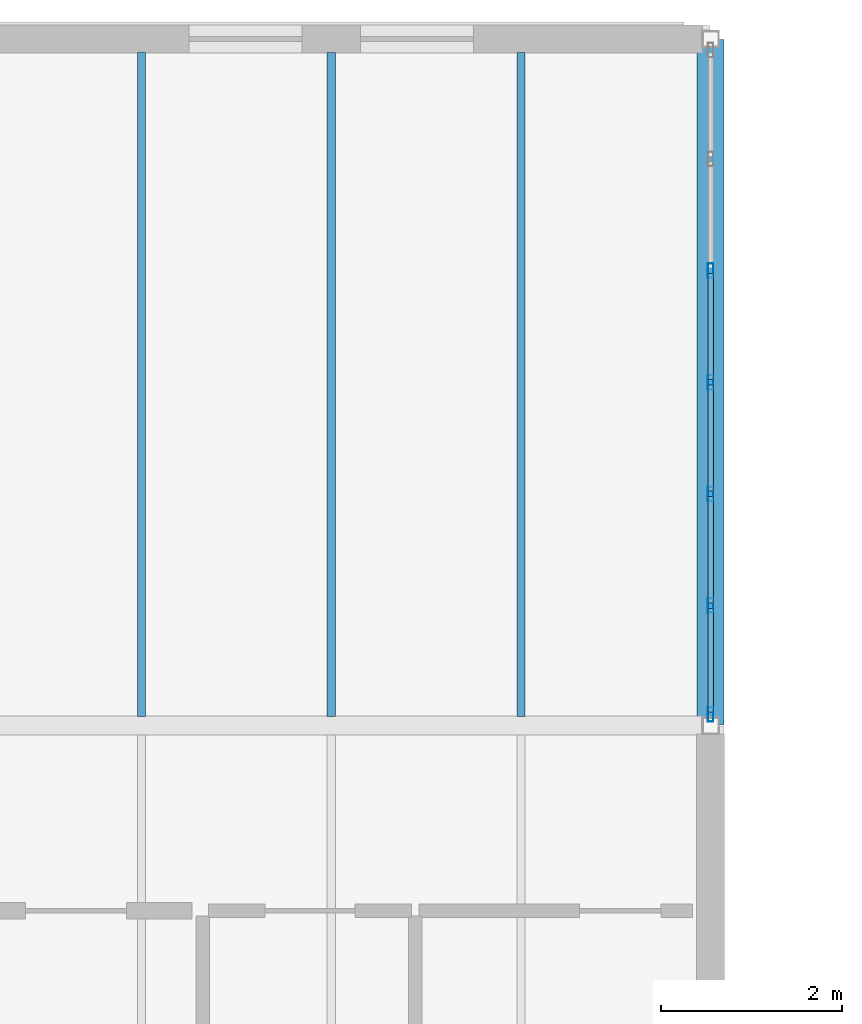
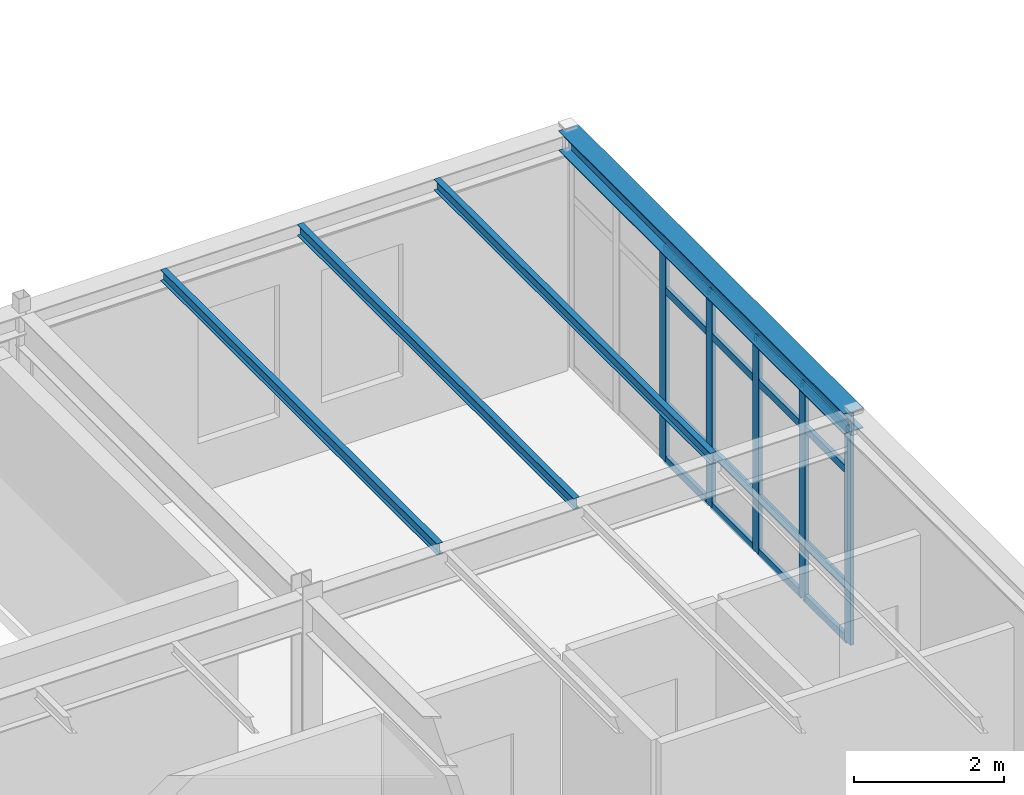
# One storey, part 26 of 65: 21 members, 4 beams, 1 element without a shape of its own.
"""IFC4 building model written with IfcOpenShell, lengths in metres."""

from ifc_helpers import new_model, si_unit, direction, frame, origin, origin_2d, place, context, subcontext, project, spatial, hollow_rectangle, i_section, extrude, material, layer, layer_set, material_profile, profile_set, type_object, element, aggregate, save


model = new_model("IFC4")

# Units and contexts
model_context = context("Model", 3, precision=1e-05, world=origin(), true_north=direction((0.0, 1.0)))
body_context = subcontext(model_context, "Body", "Model", "MODEL_VIEW")
ifc_project = project(units=[si_unit("LENGTHUNIT", "METRE"), si_unit("AREAUNIT", "SQUARE_METRE"), si_unit("VOLUMEUNIT", "CUBIC_METRE"), si_unit("PLANEANGLEUNIT", "RADIAN"), si_unit("MASSUNIT", "GRAM", prefix="KILO")], contexts=[model_context])

# Site, building, storey
site_placement = place(None, origin())
site = spatial("IfcSite", under=ifc_project, at=site_placement, CompositionType="ELEMENT")
building_placement = place(site_placement, origin())
building = spatial("IfcBuilding", under=site, at=building_placement, Name="Montecoro Central Library", CompositionType="ELEMENT")
storey_placement = place(building_placement, frame((0.0, 0.0, 17.340087890625)))
storey = spatial("IfcBuildingStorey", under=building, at=storey_placement, Name="L04", CompositionType="ELEMENT", Elevation=17.340087890625)

# Beams
ifc_material_1 = material(Name="Steel S355", Category="steel")
ifc_material_profile_1 = material_profile(ifc_material_1, i_section(OverallWidth=0.091064453125, OverallDepth=0.179931640625, WebThickness=0.00537109375, FlangeThickness=0.008056640625, at=origin_2d()), Name="IPE 180")
ifc_profile_set_1 = profile_set([ifc_material_profile_1], Name="Steel S355")
beam_type_1 = type_object("IfcBeamType", Name="BM-J-IPE180", PredefinedType="JOIST", material=ifc_profile_set_1)
for number, where, z_axis, x_axis, name in (
    (1, (110.5, 111.501953125, 3.73486328125), (0.0, 1.0, 0.0), (-1.0, 0.0, 0.0), "V2-L04-JS-1415-QR-1"),
    (2, (112.60009765625, 111.501953125, 3.73486328125), (0.0, 1.0, 0.0), (-1.0, 0.0, 0.0), "V2-L04-JS-1415-QR-2"),
    (3, (114.699951171875, 111.501953125, 3.73486328125), (0.0, 1.0, 0.0), (-1.0, 0.0, 0.0), "V2-L04-JS-1415-QR-3"),
):
    element("IfcBeam", number, at=place(storey_placement, frame(where, z_axis=z_axis, x_axis=x_axis)), inside=storey, type_object=beam_type_1, Name=name, PredefinedType="JOIST", context=body_context, shape_type="SweptSolid", body=[
        extrude(i_section(OverallWidth=0.091064453125, OverallDepth=0.179931640625, WebThickness=0.00537109375, FlangeThickness=0.008056640625, at=origin_2d()), origin(), (0.0, 0.0, 1.0), 7.35107421875),
    ])
ifc_material_profile_2 = material_profile(ifc_material_1, i_section(OverallWidth=0.300048828125, OverallDepth=0.330078125, WebThickness=0.009521484375, FlangeThickness=0.0166015625, at=origin_2d()), Name="HEA 340")
ifc_profile_set_2 = profile_set([ifc_material_profile_2], Name="Steel S355")
beam_type_2 = type_object("IfcBeamType", Name="BM-SP-HEA340", PredefinedType="SPANDREL", material=ifc_profile_set_2)
beam_placement = place(storey_placement, frame((116.800048828125, 111.405029296875, 3.659912109375), z_axis=(0.0, 1.0, 0.0), x_axis=(-1.0, 0.0, 0.0)))
element("IfcBeam", 4, at=beam_placement, inside=storey, type_object=beam_type_2, Name="V2-L04-BY-15-QR", PredefinedType="SPANDREL", context=body_context, shape_type="SweptSolid", body=[
    extrude(i_section(OverallWidth=0.300048828125, OverallDepth=0.330078125, WebThickness=0.009521484375, FlangeThickness=0.0166015625, at=origin_2d()), origin(), (0.0, 0.0, 1.0), 7.590087890625),
])

# Curtain wall, members
ifc_material_2 = material(Name="Bronze-anodised aluminium and low-E glazing", Category="aluminium")
ifc_layer = layer(ifc_material_2, 0.159912109375)
ifc_layer_set = layer_set([ifc_layer], Name="Bronze-anodised aluminium and low-E glazing")
curtain_wall_type = type_object("IfcCurtainWallType", Name="CWT-021", PredefinedType="NOTDEFINED", material=ifc_layer_set)
curtain_wall_placement = place(storey_placement, origin())
curtain_wall = element("IfcCurtainWall", 5, at=curtain_wall_placement, inside=storey, type_object=curtain_wall_type, Name="V2-L04-CW-E2", PredefinedType="NOTDEFINED")
ifc_material_3 = material(Name="Bronze-anodised aluminium", Category="aluminium")
ifc_material_profile_3 = material_profile(ifc_material_3, hollow_rectangle(XDim=0.06005859375, YDim=0.159912109375, WallThickness=0.00390625, at=origin_2d()), Name="CWM 160x60x4.0")
ifc_profile_set_3 = profile_set([ifc_material_profile_3], Name="Bronze-anodised aluminium")
member_type_1 = type_object("IfcMemberType", Name="CWM-BRZ-60", PredefinedType="MULLION", material=ifc_profile_set_3)
member_1_placement = place(storey_placement, frame((116.800048828125, 111.52294921875, 0.0), z_axis=(0.0, 0.0, 1.0), x_axis=(-1.0, 0.0, 0.0)))
member_1 = element("IfcMember", 6, at=member_1_placement, type_object=member_type_1, Name="CW-021 mullion 1", PredefinedType="MULLION", context=body_context, shape_type="SweptSolid", body=[
    extrude(hollow_rectangle(XDim=0.06005859375, YDim=0.159912109375, WallThickness=0.00390625, at=origin_2d()), origin(), (0.0, 0.0, 1.0), 3.47998046875),
])
member_2_placement = place(storey_placement, frame((116.800048828125, 112.728759765625, 0.0), z_axis=(0.0, 0.0, 1.0), x_axis=(-1.0, 0.0, 0.0)))
member_2 = element("IfcMember", 7, at=member_2_placement, type_object=member_type_1, Name="CW-021 mullion 2", PredefinedType="MULLION", context=body_context, shape_type="SweptSolid", body=[
    extrude(hollow_rectangle(XDim=0.06005859375, YDim=0.159912109375, WallThickness=0.00390625, at=origin_2d()), origin(), (0.0, 0.0, 1.0), 3.47998046875),
])
member_3_placement = place(storey_placement, frame((116.800048828125, 113.96435546875, 0.0), z_axis=(0.0, 0.0, 1.0), x_axis=(-1.0, 0.0, 0.0)))
member_3 = element("IfcMember", 8, at=member_3_placement, type_object=member_type_1, Name="CW-021 mullion 3", PredefinedType="MULLION", context=body_context, shape_type="SweptSolid", body=[
    extrude(hollow_rectangle(XDim=0.06005859375, YDim=0.159912109375, WallThickness=0.00390625, at=origin_2d()), origin(), (0.0, 0.0, 1.0), 3.47998046875),
])
member_4_placement = place(storey_placement, frame((116.800048828125, 115.199951171875, 0.0), z_axis=(0.0, 0.0, 1.0), x_axis=(-1.0, 0.0, 0.0)))
member_4 = element("IfcMember", 9, at=member_4_placement, type_object=member_type_1, Name="CW-021 mullion 4", PredefinedType="MULLION", context=body_context, shape_type="SweptSolid", body=[
    extrude(hollow_rectangle(XDim=0.06005859375, YDim=0.159912109375, WallThickness=0.00390625, at=origin_2d()), origin(), (0.0, 0.0, 1.0), 3.47998046875),
])
member_5_placement = place(storey_placement, frame((116.800048828125, 116.435546875, 0.0), z_axis=(0.0, 0.0, 1.0), x_axis=(-1.0, 0.0, 0.0)))
member_5 = element("IfcMember", 10, at=member_5_placement, type_object=member_type_1, Name="CW-021 mullion 5", PredefinedType="MULLION", context=body_context, shape_type="SweptSolid", body=[
    extrude(hollow_rectangle(XDim=0.06005859375, YDim=0.159912109375, WallThickness=0.00390625, at=origin_2d()), origin(), (0.0, 0.0, 1.0), 3.47998046875),
])
ifc_material_profile_4 = material_profile(ifc_material_3, hollow_rectangle(XDim=0.06005859375, YDim=0.1201171875, WallThickness=0.00390625, at=origin_2d()), Name="CWT 120x60x4.0")
ifc_profile_set_4 = profile_set([ifc_material_profile_4], Name="Bronze-anodised aluminium")
member_type_2 = type_object("IfcMemberType", Name="CWT-BRZ-60", PredefinedType="USERDEFINED", material=ifc_profile_set_4)
member_6_placement = place(storey_placement, frame((116.800048828125, 111.552978515625, 0.030029296875), z_axis=(0.0, 1.0, 0.0), x_axis=(-1.0, 0.0, 0.0)))
member_6 = element("IfcMember", 11, at=member_6_placement, type_object=member_type_2, Name="CW-021 transom 1.1", ObjectType="TRANSOM", PredefinedType="USERDEFINED", context=body_context, shape_type="SweptSolid", body=[
    extrude(hollow_rectangle(XDim=0.06005859375, YDim=0.1201171875, WallThickness=0.00390625, at=origin_2d()), origin(), (0.0, 0.0, 1.0), 1.145751953125),
])
member_7_placement = place(storey_placement, frame((116.800048828125, 111.552978515625, 0.89990234375), z_axis=(0.0, 1.0, 0.0), x_axis=(-1.0, 0.0, 0.0)))
member_7 = element("IfcMember", 12, at=member_7_placement, type_object=member_type_2, Name="CW-021 transom 1.2", ObjectType="TRANSOM", PredefinedType="USERDEFINED", context=body_context, shape_type="SweptSolid", body=[
    extrude(hollow_rectangle(XDim=0.06005859375, YDim=0.1201171875, WallThickness=0.00390625, at=origin_2d()), origin(), (0.0, 0.0, 1.0), 1.145751953125),
])
member_8_placement = place(storey_placement, frame((116.800048828125, 111.552978515625, 2.780029296875), z_axis=(0.0, 1.0, 0.0), x_axis=(-1.0, 0.0, 0.0)))
member_8 = element("IfcMember", 13, at=member_8_placement, type_object=member_type_2, Name="CW-021 transom 1.3", ObjectType="TRANSOM", PredefinedType="USERDEFINED", context=body_context, shape_type="SweptSolid", body=[
    extrude(hollow_rectangle(XDim=0.06005859375, YDim=0.1201171875, WallThickness=0.00390625, at=origin_2d()), origin(), (0.0, 0.0, 1.0), 1.145751953125),
])
member_9_placement = place(storey_placement, frame((116.800048828125, 111.552978515625, 3.449951171875), z_axis=(0.0, 1.0, 0.0), x_axis=(-1.0, 0.0, 0.0)))
member_9 = element("IfcMember", 14, at=member_9_placement, type_object=member_type_2, Name="CW-021 transom 1.4", ObjectType="TRANSOM", PredefinedType="USERDEFINED", context=body_context, shape_type="SweptSolid", body=[
    extrude(hollow_rectangle(XDim=0.06005859375, YDim=0.1201171875, WallThickness=0.00390625, at=origin_2d()), origin(), (0.0, 0.0, 1.0), 1.145751953125),
])
member_10_placement = place(storey_placement, frame((116.800048828125, 112.758544921875, 0.030029296875), z_axis=(0.0, 1.0, 0.0), x_axis=(-1.0, 0.0, 0.0)))
member_10 = element("IfcMember", 15, at=member_10_placement, type_object=member_type_2, Name="CW-021 transom 2.1", ObjectType="TRANSOM", PredefinedType="USERDEFINED", context=body_context, shape_type="SweptSolid", body=[
    extrude(hollow_rectangle(XDim=0.06005859375, YDim=0.1201171875, WallThickness=0.00390625, at=origin_2d()), origin(), (0.0, 0.0, 1.0), 1.17578125),
])
member_11_placement = place(storey_placement, frame((116.800048828125, 112.758544921875, 0.89990234375), z_axis=(0.0, 1.0, 0.0), x_axis=(-1.0, 0.0, 0.0)))
member_11 = element("IfcMember", 16, at=member_11_placement, type_object=member_type_2, Name="CW-021 transom 2.2", ObjectType="TRANSOM", PredefinedType="USERDEFINED", context=body_context, shape_type="SweptSolid", body=[
    extrude(hollow_rectangle(XDim=0.06005859375, YDim=0.1201171875, WallThickness=0.00390625, at=origin_2d()), origin(), (0.0, 0.0, 1.0), 1.17578125),
])
member_12_placement = place(storey_placement, frame((116.800048828125, 112.758544921875, 2.780029296875), z_axis=(0.0, 1.0, 0.0), x_axis=(-1.0, 0.0, 0.0)))
member_12 = element("IfcMember", 17, at=member_12_placement, type_object=member_type_2, Name="CW-021 transom 2.3", ObjectType="TRANSOM", PredefinedType="USERDEFINED", context=body_context, shape_type="SweptSolid", body=[
    extrude(hollow_rectangle(XDim=0.06005859375, YDim=0.1201171875, WallThickness=0.00390625, at=origin_2d()), origin(), (0.0, 0.0, 1.0), 1.17578125),
])
member_13_placement = place(storey_placement, frame((116.800048828125, 112.758544921875, 3.449951171875), z_axis=(0.0, 1.0, 0.0), x_axis=(-1.0, 0.0, 0.0)))
member_13 = element("IfcMember", 18, at=member_13_placement, type_object=member_type_2, Name="CW-021 transom 2.4", ObjectType="TRANSOM", PredefinedType="USERDEFINED", context=body_context, shape_type="SweptSolid", body=[
    extrude(hollow_rectangle(XDim=0.06005859375, YDim=0.1201171875, WallThickness=0.00390625, at=origin_2d()), origin(), (0.0, 0.0, 1.0), 1.17578125),
])
member_14_placement = place(storey_placement, frame((116.800048828125, 113.994384765625, 0.030029296875), z_axis=(0.0, 1.0, 0.0), x_axis=(-1.0, 0.0, 0.0)))
member_14 = element("IfcMember", 19, at=member_14_placement, type_object=member_type_2, Name="CW-021 transom 3.1", ObjectType="TRANSOM", PredefinedType="USERDEFINED", context=body_context, shape_type="SweptSolid", body=[
    extrude(hollow_rectangle(XDim=0.06005859375, YDim=0.1201171875, WallThickness=0.00390625, at=origin_2d()), origin(), (0.0, 0.0, 1.0), 1.175537109375),
])
member_15_placement = place(storey_placement, frame((116.800048828125, 113.994384765625, 0.89990234375), z_axis=(0.0, 1.0, 0.0), x_axis=(-1.0, 0.0, 0.0)))
member_15 = element("IfcMember", 20, at=member_15_placement, type_object=member_type_2, Name="CW-021 transom 3.2", ObjectType="TRANSOM", PredefinedType="USERDEFINED", context=body_context, shape_type="SweptSolid", body=[
    extrude(hollow_rectangle(XDim=0.06005859375, YDim=0.1201171875, WallThickness=0.00390625, at=origin_2d()), origin(), (0.0, 0.0, 1.0), 1.175537109375),
])
member_16_placement = place(storey_placement, frame((116.800048828125, 113.994384765625, 2.780029296875), z_axis=(0.0, 1.0, 0.0), x_axis=(-1.0, 0.0, 0.0)))
member_16 = element("IfcMember", 21, at=member_16_placement, type_object=member_type_2, Name="CW-021 transom 3.3", ObjectType="TRANSOM", PredefinedType="USERDEFINED", context=body_context, shape_type="SweptSolid", body=[
    extrude(hollow_rectangle(XDim=0.06005859375, YDim=0.1201171875, WallThickness=0.00390625, at=origin_2d()), origin(), (0.0, 0.0, 1.0), 1.175537109375),
])
member_17_placement = place(storey_placement, frame((116.800048828125, 113.994384765625, 3.449951171875), z_axis=(0.0, 1.0, 0.0), x_axis=(-1.0, 0.0, 0.0)))
member_17 = element("IfcMember", 22, at=member_17_placement, type_object=member_type_2, Name="CW-021 transom 3.4", ObjectType="TRANSOM", PredefinedType="USERDEFINED", context=body_context, shape_type="SweptSolid", body=[
    extrude(hollow_rectangle(XDim=0.06005859375, YDim=0.1201171875, WallThickness=0.00390625, at=origin_2d()), origin(), (0.0, 0.0, 1.0), 1.175537109375),
])
member_18_placement = place(storey_placement, frame((116.800048828125, 115.22998046875, 0.030029296875), z_axis=(0.0, 1.0, 0.0), x_axis=(-1.0, 0.0, 0.0)))
member_18 = element("IfcMember", 23, at=member_18_placement, type_object=member_type_2, Name="CW-021 transom 4.1", ObjectType="TRANSOM", PredefinedType="USERDEFINED", context=body_context, shape_type="SweptSolid", body=[
    extrude(hollow_rectangle(XDim=0.06005859375, YDim=0.1201171875, WallThickness=0.00390625, at=origin_2d()), origin(), (0.0, 0.0, 1.0), 1.17578125),
])
member_19_placement = place(storey_placement, frame((116.800048828125, 115.22998046875, 0.89990234375), z_axis=(0.0, 1.0, 0.0), x_axis=(-1.0, 0.0, 0.0)))
member_19 = element("IfcMember", 24, at=member_19_placement, type_object=member_type_2, Name="CW-021 transom 4.2", ObjectType="TRANSOM", PredefinedType="USERDEFINED", context=body_context, shape_type="SweptSolid", body=[
    extrude(hollow_rectangle(XDim=0.06005859375, YDim=0.1201171875, WallThickness=0.00390625, at=origin_2d()), origin(), (0.0, 0.0, 1.0), 1.17578125),
])
member_20_placement = place(storey_placement, frame((116.800048828125, 115.22998046875, 2.780029296875), z_axis=(0.0, 1.0, 0.0), x_axis=(-1.0, 0.0, 0.0)))
member_20 = element("IfcMember", 25, at=member_20_placement, type_object=member_type_2, Name="CW-021 transom 4.3", ObjectType="TRANSOM", PredefinedType="USERDEFINED", context=body_context, shape_type="SweptSolid", body=[
    extrude(hollow_rectangle(XDim=0.06005859375, YDim=0.1201171875, WallThickness=0.00390625, at=origin_2d()), origin(), (0.0, 0.0, 1.0), 1.17578125),
])
member_21_placement = place(storey_placement, frame((116.800048828125, 115.22998046875, 3.449951171875), z_axis=(0.0, 1.0, 0.0), x_axis=(-1.0, 0.0, 0.0)))
member_21 = element("IfcMember", 26, at=member_21_placement, type_object=member_type_2, Name="CW-021 transom 4.4", ObjectType="TRANSOM", PredefinedType="USERDEFINED", context=body_context, shape_type="SweptSolid", body=[
    extrude(hollow_rectangle(XDim=0.06005859375, YDim=0.1201171875, WallThickness=0.00390625, at=origin_2d()), origin(), (0.0, 0.0, 1.0), 1.17578125),
])
aggregate(curtain_wall, [member_1, member_2, member_3, member_4, member_5, member_6, member_7, member_8, member_9, member_10, member_11, member_12, member_13, member_14, member_15, member_16, member_17, member_18, member_19, member_20, member_21])

save(model, "model.ifc")
